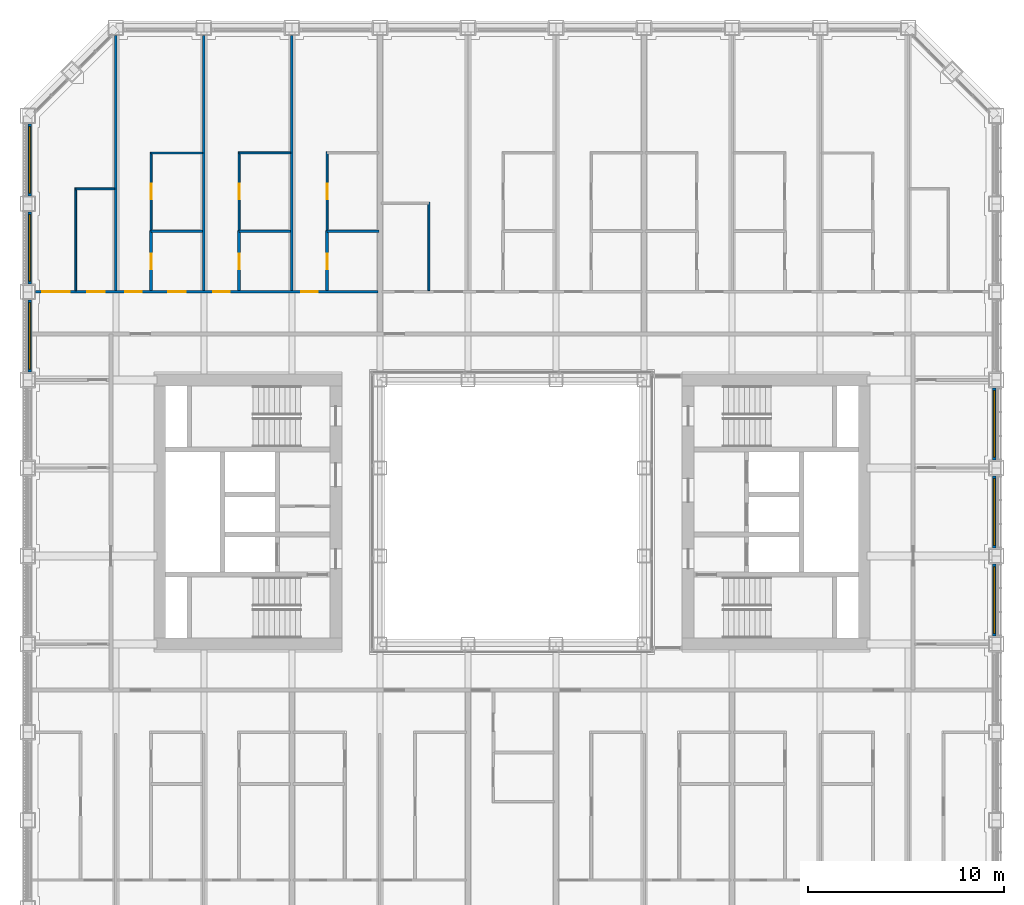
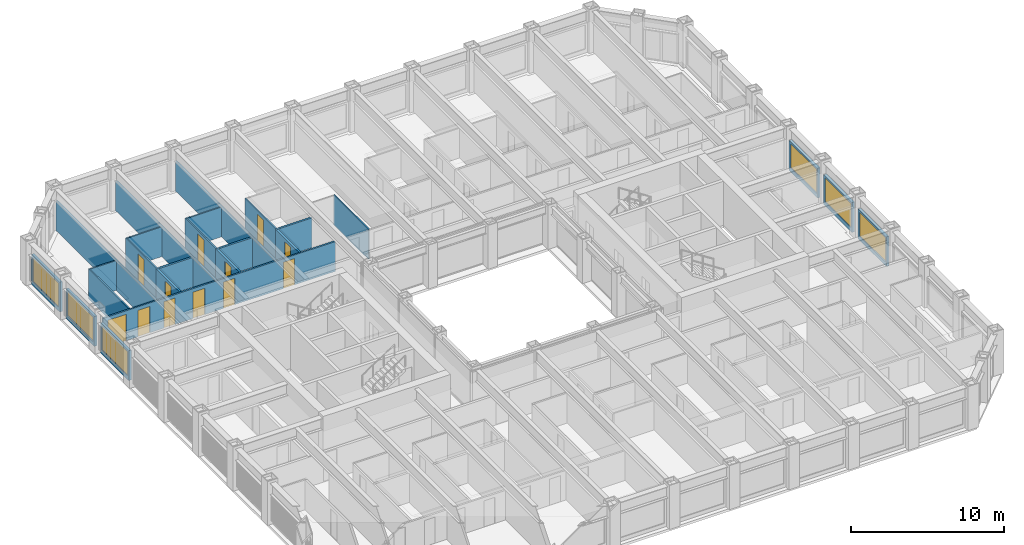
# One storey, part 13 of 21: 24 walls, 12 doors, 6 windows, 18 openings.
"""IFC4 building model written with IfcOpenShell, lengths in metres."""

from ifc_helpers import new_model, si_unit, direction, frame, frame_2d, origin, place, context, subcontext, project, spatial, rectangle, extrude, material, layer, layer_set, type_object, element, fill, save


model = new_model("IFC4")

# Units and contexts
model_context = context("Model", 3, precision=1e-05, world=origin(), true_north=direction((0.0, 1.0)))
body_context = subcontext(model_context, "Body", "Model", "MODEL_VIEW")
ifc_project = project(units=[si_unit("LENGTHUNIT", "METRE"), si_unit("AREAUNIT", "SQUARE_METRE"), si_unit("VOLUMEUNIT", "CUBIC_METRE"), si_unit("PLANEANGLEUNIT", "RADIAN"), si_unit("MASSUNIT", "GRAM", prefix="KILO")], contexts=[model_context])

# Site, building, storey
site_placement = place(None, origin())
site = spatial("IfcSite", under=ifc_project, at=site_placement, CompositionType="ELEMENT")
building_placement = place(site_placement, origin())
building = spatial("IfcBuilding", under=site, at=building_placement, Name="Msasa Ring Tower", CompositionType="ELEMENT")
storey_placement = place(building_placement, frame((0.0, 0.0, 75.5)))
storey = spatial("IfcBuildingStorey", under=building, at=storey_placement, Name="L19", CompositionType="ELEMENT", Elevation=75.5)

# Wall, opening, window
ifc_material_1 = material(Name="Terracotta rainscreen on blockwork", Category="masonry")
ifc_layer_1 = layer(ifc_material_1, 0.199951171875)
ifc_layer_set_1 = layer_set([ifc_layer_1], Name="FW1 TERRACOTTA-LINED INFILL BAY WALL 200")
wall_type_1 = type_object("IfcWallType", Name="FW1 TERRACOTTA-LINED INFILL BAY WALL 200", PredefinedType="SOLIDWALL", material=ifc_layer_set_1)
wall_1_placement = place(storey_placement, frame((24.64990234375, -6.344970703125, 0.0), z_axis=(0.0, 0.0, 1.0), x_axis=(0.0, 1.0, 0.0)))
wall_1 = element("IfcWall", 1, at=wall_1_placement, inside=storey, type_object=wall_type_1, Name="Infill bay wall E L19 14", PredefinedType="SOLIDWALL", context=body_context, shape_type="SweptSolid", body=[
    extrude(rectangle(XDim=3.68994140625, YDim=0.199951171875, at=frame_2d((1.844970703125, 0.0))), origin(), (0.0, 0.0, 1.0), 2.37890625),
])
opening_1_placement = place(wall_1_placement, frame((0.14501953125, 0.0, 0.300048828125)))
opening_1 = element("IfcOpeningElement", 2, at=opening_1_placement, cuts=wall_1, Name="Opening WN1", PredefinedType="OPENING", context=body_context, shape_type="SweptSolid", body=[
    extrude(rectangle(XDim=3.39990234375, YDim=1.928955078125, at=frame_2d((1.699951171875, 0.96435546875))), frame((0.0, 0.10986328125, 0.0), z_axis=(0.0, -1.0, 0.0), x_axis=(1.0, 0.0, 0.0)), (0.0, 0.0, 1.0), 0.219970703125),
])
ifc_material_2 = material(Name="Aluminium frame with clear glass", Category="aluminium")
window_type = type_object("IfcWindowType", Name="WN1 RESIDENCE WINDOW 3400x1929", PartitioningType="SINGLE_PANEL", PredefinedType="WINDOW", material=ifc_material_2)
window_1_placement = place(opening_1_placement, origin())
window_1 = element("IfcWindow", 3, at=window_1_placement, inside=storey, type_object=window_type, Name="Window E L19 14", OverallHeight=1.928955078125, OverallWidth=3.39990234375, PartitioningType="SINGLE_PANEL", PredefinedType="WINDOW", context=body_context, shape_type="SweptSolid", body=[
    extrude(rectangle(XDim=3.39990234375, YDim=1.928955078125, at=frame_2d((1.699951171875, 0.96435546875))), frame((0.0, 0.030029296875, 0.0), z_axis=(0.0, -1.0, 0.0), x_axis=(1.0, 0.0, 0.0)), (0.0, 0.0, 1.0), 0.06005859375),
])
fill(opening_1, window_1)

wall_2_placement = place(storey_placement, frame((24.64990234375, -1.844970703125, 0.0), z_axis=(0.0, 0.0, 1.0), x_axis=(0.0, 1.0, 0.0)))
wall_2 = element("IfcWall", 4, at=wall_2_placement, inside=storey, type_object=wall_type_1, Name="Infill bay wall E L19 15", PredefinedType="SOLIDWALL", context=body_context, shape_type="SweptSolid", body=[
    extrude(rectangle(XDim=3.68994140625, YDim=0.199951171875, at=frame_2d((1.844970703125, 0.0))), origin(), (0.0, 0.0, 1.0), 2.37890625),
])
opening_2_placement = place(wall_2_placement, frame((0.14501953125, 0.0, 0.300048828125)))
opening_2 = element("IfcOpeningElement", 5, at=opening_2_placement, cuts=wall_2, Name="Opening WN1", PredefinedType="OPENING", context=body_context, shape_type="SweptSolid", body=[
    extrude(rectangle(XDim=3.39990234375, YDim=1.928955078125, at=frame_2d((1.699951171875, 0.96435546875))), frame((0.0, 0.10986328125, 0.0), z_axis=(0.0, -1.0, 0.0), x_axis=(1.0, 0.0, 0.0)), (0.0, 0.0, 1.0), 0.219970703125),
])
window_2_placement = place(opening_2_placement, origin())
window_2 = element("IfcWindow", 6, at=window_2_placement, inside=storey, type_object=window_type, Name="Window E L19 15", OverallHeight=1.928955078125, OverallWidth=3.39990234375, PartitioningType="SINGLE_PANEL", PredefinedType="WINDOW", context=body_context, shape_type="SweptSolid", body=[
    extrude(rectangle(XDim=3.39990234375, YDim=1.928955078125, at=frame_2d((1.699951171875, 0.96435546875))), frame((0.0, 0.030029296875, 0.0), z_axis=(0.0, -1.0, 0.0), x_axis=(1.0, 0.0, 0.0)), (0.0, 0.0, 1.0), 0.06005859375),
])
fill(opening_2, window_2)

wall_3_placement = place(storey_placement, frame((24.64990234375, 2.655029296875, 0.0), z_axis=(0.0, 0.0, 1.0), x_axis=(0.0, 1.0, 0.0)))
wall_3 = element("IfcWall", 7, at=wall_3_placement, inside=storey, type_object=wall_type_1, Name="Infill bay wall E L19 16", PredefinedType="SOLIDWALL", context=body_context, shape_type="SweptSolid", body=[
    extrude(rectangle(XDim=3.68994140625, YDim=0.199951171875, at=frame_2d((1.844970703125, 0.0))), origin(), (0.0, 0.0, 1.0), 2.37890625),
])
opening_3_placement = place(wall_3_placement, frame((0.14501953125, 0.0, 0.300048828125)))
opening_3 = element("IfcOpeningElement", 8, at=opening_3_placement, cuts=wall_3, Name="Opening WN1", PredefinedType="OPENING", context=body_context, shape_type="SweptSolid", body=[
    extrude(rectangle(XDim=3.39990234375, YDim=1.928955078125, at=frame_2d((1.699951171875, 0.96435546875))), frame((0.0, 0.10986328125, 0.0), z_axis=(0.0, -1.0, 0.0), x_axis=(1.0, 0.0, 0.0)), (0.0, 0.0, 1.0), 0.219970703125),
])
window_3_placement = place(opening_3_placement, origin())
window_3 = element("IfcWindow", 9, at=window_3_placement, inside=storey, type_object=window_type, Name="Window E L19 16", OverallHeight=1.928955078125, OverallWidth=3.39990234375, PartitioningType="SINGLE_PANEL", PredefinedType="WINDOW", context=body_context, shape_type="SweptSolid", body=[
    extrude(rectangle(XDim=3.39990234375, YDim=1.928955078125, at=frame_2d((1.699951171875, 0.96435546875))), frame((0.0, 0.030029296875, 0.0), z_axis=(0.0, -1.0, 0.0), x_axis=(1.0, 0.0, 0.0)), (0.0, 0.0, 1.0), 0.06005859375),
])
fill(opening_3, window_3)

wall_4_placement = place(storey_placement, frame((-24.64990234375, 7.155029296875, 0.0), z_axis=(0.0, 0.0, 1.0), x_axis=(0.0, 1.0, 0.0)))
wall_4 = element("IfcWall", 10, at=wall_4_placement, inside=storey, type_object=wall_type_1, Name="Infill bay wall W L19 39", PredefinedType="SOLIDWALL", context=body_context, shape_type="SweptSolid", body=[
    extrude(rectangle(XDim=3.68994140625, YDim=0.199951171875, at=frame_2d((1.844970703125, 0.0))), origin(), (0.0, 0.0, 1.0), 2.37890625),
])
opening_4_placement = place(wall_4_placement, frame((0.14501953125, 0.0, 0.300048828125)))
opening_4 = element("IfcOpeningElement", 11, at=opening_4_placement, cuts=wall_4, Name="Opening WN1", PredefinedType="OPENING", context=body_context, shape_type="SweptSolid", body=[
    extrude(rectangle(XDim=3.39990234375, YDim=1.928955078125, at=frame_2d((1.699951171875, 0.96435546875))), frame((0.0, 0.10986328125, 0.0), z_axis=(0.0, -1.0, 0.0), x_axis=(1.0, 0.0, 0.0)), (0.0, 0.0, 1.0), 0.219970703125),
])
window_4_placement = place(opening_4_placement, origin())
window_4 = element("IfcWindow", 12, at=window_4_placement, inside=storey, type_object=window_type, Name="Window W L19 39", OverallHeight=1.928955078125, OverallWidth=3.39990234375, PartitioningType="SINGLE_PANEL", PredefinedType="WINDOW", context=body_context, shape_type="SweptSolid", body=[
    extrude(rectangle(XDim=3.39990234375, YDim=1.928955078125, at=frame_2d((1.699951171875, 0.96435546875))), frame((0.0, 0.030029296875, 0.0), z_axis=(0.0, -1.0, 0.0), x_axis=(1.0, 0.0, 0.0)), (0.0, 0.0, 1.0), 0.06005859375),
])
fill(opening_4, window_4)

wall_5_placement = place(storey_placement, frame((-24.64990234375, 11.655029296875, 0.0), z_axis=(0.0, 0.0, 1.0), x_axis=(0.0, 1.0, 0.0)))
wall_5 = element("IfcWall", 13, at=wall_5_placement, inside=storey, type_object=wall_type_1, Name="Infill bay wall W L19 40", PredefinedType="SOLIDWALL", context=body_context, shape_type="SweptSolid", body=[
    extrude(rectangle(XDim=3.68994140625, YDim=0.199951171875, at=frame_2d((1.844970703125, 0.0))), origin(), (0.0, 0.0, 1.0), 2.37890625),
])
opening_5_placement = place(wall_5_placement, frame((0.14501953125, 0.0, 0.300048828125)))
opening_5 = element("IfcOpeningElement", 14, at=opening_5_placement, cuts=wall_5, Name="Opening WN1", PredefinedType="OPENING", context=body_context, shape_type="SweptSolid", body=[
    extrude(rectangle(XDim=3.39990234375, YDim=1.928955078125, at=frame_2d((1.699951171875, 0.96435546875))), frame((0.0, 0.10986328125, 0.0), z_axis=(0.0, -1.0, 0.0), x_axis=(1.0, 0.0, 0.0)), (0.0, 0.0, 1.0), 0.219970703125),
])
window_5_placement = place(opening_5_placement, origin())
window_5 = element("IfcWindow", 15, at=window_5_placement, inside=storey, type_object=window_type, Name="Window W L19 40", OverallHeight=1.928955078125, OverallWidth=3.39990234375, PartitioningType="SINGLE_PANEL", PredefinedType="WINDOW", context=body_context, shape_type="SweptSolid", body=[
    extrude(rectangle(XDim=3.39990234375, YDim=1.928955078125, at=frame_2d((1.699951171875, 0.96435546875))), frame((0.0, 0.030029296875, 0.0), z_axis=(0.0, -1.0, 0.0), x_axis=(1.0, 0.0, 0.0)), (0.0, 0.0, 1.0), 0.06005859375),
])
fill(opening_5, window_5)

wall_6_placement = place(storey_placement, frame((-24.64990234375, 16.155029296875, 0.0), z_axis=(0.0, 0.0, 1.0), x_axis=(0.0, 1.0, 0.0)))
wall_6 = element("IfcWall", 16, at=wall_6_placement, inside=storey, type_object=wall_type_1, Name="Infill bay wall W L19 41", PredefinedType="SOLIDWALL", context=body_context, shape_type="SweptSolid", body=[
    extrude(rectangle(XDim=3.68994140625, YDim=0.199951171875, at=frame_2d((1.844970703125, 0.0))), origin(), (0.0, 0.0, 1.0), 2.37890625),
])
opening_6_placement = place(wall_6_placement, frame((0.14501953125, 0.0, 0.300048828125)))
opening_6 = element("IfcOpeningElement", 17, at=opening_6_placement, cuts=wall_6, Name="Opening WN1", PredefinedType="OPENING", context=body_context, shape_type="SweptSolid", body=[
    extrude(rectangle(XDim=3.39990234375, YDim=1.928955078125, at=frame_2d((1.699951171875, 0.96435546875))), frame((0.0, 0.10986328125, 0.0), z_axis=(0.0, -1.0, 0.0), x_axis=(1.0, 0.0, 0.0)), (0.0, 0.0, 1.0), 0.219970703125),
])
window_6_placement = place(opening_6_placement, origin())
window_6 = element("IfcWindow", 18, at=window_6_placement, inside=storey, type_object=window_type, Name="Window W L19 41", OverallHeight=1.928955078125, OverallWidth=3.39990234375, PartitioningType="SINGLE_PANEL", PredefinedType="WINDOW", context=body_context, shape_type="SweptSolid", body=[
    extrude(rectangle(XDim=3.39990234375, YDim=1.928955078125, at=frame_2d((1.699951171875, 0.96435546875))), frame((0.0, 0.030029296875, 0.0), z_axis=(0.0, -1.0, 0.0), x_axis=(1.0, 0.0, 0.0)), (0.0, 0.0, 1.0), 0.06005859375),
])
fill(opening_6, window_6)

# Walls
ifc_material_3 = material(Name="Gypsum board on steel studs", Category="steel")
ifc_layer_2 = layer(ifc_material_3, 0.10009765625)
ifc_layer_set_2 = layer_set([ifc_layer_2], Name="PT2 STUD PARTITION 100")
wall_type_2 = type_object("IfcWallType", Name="PT2 STUD PARTITION 100", PredefinedType="PARTITIONING", material=ifc_layer_set_2)
wall_7_placement = place(storey_placement, frame((-22.300048828125, 11.3125, 0.0), z_axis=(0.0, 0.0, 1.0), x_axis=(0.0, 1.0, 0.0)))
element("IfcWall", 19, at=wall_7_placement, inside=storey, type_object=wall_type_2, Name="Partition L19-UN00KX", PredefinedType="PARTITIONING", context=body_context, shape_type="SweptSolid", body=[
    extrude(rectangle(XDim=5.25, YDim=0.10009765625, at=frame_2d((2.625, 0.0))), origin(), (0.0, 0.0, 1.0), 2.373291015625),
])
wall_8_placement = place(storey_placement, frame((-22.300048828125, 16.512451171875, 0.0), z_axis=(0.0, 0.0, 1.0), x_axis=(1.0, 0.0, 0.0)))
element("IfcWall", 20, at=wall_8_placement, inside=storey, type_object=wall_type_2, Name="Partition L19-UN00KY", PredefinedType="PARTITIONING", context=body_context, shape_type="SweptSolid", body=[
    extrude(rectangle(XDim=1.987548828125, YDim=0.10009765625, at=frame_2d((0.99365234375, 0.0))), origin(), (0.0, 0.0, 1.0), 2.373291015625),
])

# Wall, opening, door
wall_9_placement = place(storey_placement, frame((-18.449951171875, 14.39990234375, 0.0), z_axis=(0.0, 0.0, 1.0), x_axis=(0.0, 1.0, 0.0)))
wall_9 = element("IfcWall", 21, at=wall_9_placement, inside=storey, type_object=wall_type_2, Name="Partition L19-UN00WX1", PredefinedType="PARTITIONING", context=body_context, shape_type="SweptSolid", body=[
    extrude(rectangle(XDim=4.00048828125, YDim=0.10009765625, at=frame_2d((2.000244140625, 0.0))), origin(), (0.0, 0.0, 1.0), 2.373291015625),
])
opening_7_placement = place(wall_9_placement, frame((1.5751953125, 0.0, 0.0)))
opening_7 = element("IfcOpeningElement", 22, at=opening_7_placement, cuts=wall_9, Name="Opening RE-001", PredefinedType="OPENING", context=body_context, shape_type="SweptSolid", body=[
    extrude(rectangle(XDim=0.800048828125, YDim=2.10009765625, at=frame_2d((0.39990234375, 1.050048828125))), frame((0.0, 0.06005859375, 0.0), z_axis=(0.0, -1.0, 0.0), x_axis=(1.0, 0.0, 0.0)), (0.0, 0.0, 1.0), 0.1201171875),
])
ifc_material_4 = material(Name="Timber door leaf in a steel frame", Category="steel")
door_type_1 = type_object("IfcDoorType", Name="D60 DRESSING ROOM DOOR 800x2100", OperationType="SINGLE_SWING_LEFT", PredefinedType="DOOR", material=ifc_material_4)
door_1_placement = place(opening_7_placement, origin())
door_1 = element("IfcDoor", 23, at=door_1_placement, inside=storey, type_object=door_type_1, Name="Door L19-UN00W1", OperationType="SINGLE_SWING_LEFT", OverallHeight=2.10009765625, OverallWidth=0.800048828125, PredefinedType="DOOR", context=body_context, shape_type="SweptSolid", body=[
    extrude(rectangle(XDim=0.800048828125, YDim=2.10009765625, at=frame_2d((0.39990234375, 1.050048828125))), frame((0.0, 0.02490234375, 0.0), z_axis=(0.0, -1.0, 0.0), x_axis=(1.0, 0.0, 0.0)), (0.0, 0.0, 1.0), 0.050048828125),
])
fill(opening_7, door_1)

# Wall
wall_10_placement = place(storey_placement, frame((-18.449951171875, 18.350341796875, 0.0), z_axis=(0.0, 0.0, 1.0), x_axis=(1.0, 0.0, 0.0)))
element("IfcWall", 24, at=wall_10_placement, inside=storey, type_object=wall_type_2, Name="Partition L19-UN00WY1", PredefinedType="PARTITIONING", context=body_context, shape_type="SweptSolid", body=[
    extrude(rectangle(XDim=2.639892578125, YDim=0.10009765625, at=frame_2d((1.31982421875, 0.0))), origin(), (0.0, 0.0, 1.0), 2.373291015625),
])

# Wall, opening, door
wall_11_placement = place(storey_placement, frame((-13.949951171875, 14.39990234375, 0.0), z_axis=(0.0, 0.0, 1.0), x_axis=(0.0, 1.0, 0.0)))
wall_11 = element("IfcWall", 25, at=wall_11_placement, inside=storey, type_object=wall_type_2, Name="Partition L19-UN00WX2", PredefinedType="PARTITIONING", context=body_context, shape_type="SweptSolid", body=[
    extrude(rectangle(XDim=4.003173828125, YDim=0.10009765625, at=frame_2d((2.00146484375, 0.0))), origin(), (0.0, 0.0, 1.0), 2.373291015625),
])
opening_8_placement = place(wall_11_placement, frame((1.576416015625, 0.0, 0.0)))
opening_8 = element("IfcOpeningElement", 26, at=opening_8_placement, cuts=wall_11, Name="Opening RE-002", PredefinedType="OPENING", context=body_context, shape_type="SweptSolid", body=[
    extrude(rectangle(XDim=0.800048828125, YDim=2.10009765625, at=frame_2d((0.39990234375, 1.050048828125))), frame((0.0, 0.06005859375, 0.0), z_axis=(0.0, -1.0, 0.0), x_axis=(1.0, 0.0, 0.0)), (0.0, 0.0, 1.0), 0.1201171875),
])
door_2_placement = place(opening_8_placement, origin())
door_2 = element("IfcDoor", 27, at=door_2_placement, inside=storey, type_object=door_type_1, Name="Door L19-UN00W2", OperationType="SINGLE_SWING_LEFT", OverallHeight=2.10009765625, OverallWidth=0.800048828125, PredefinedType="DOOR", context=body_context, shape_type="SweptSolid", body=[
    extrude(rectangle(XDim=0.800048828125, YDim=2.10009765625, at=frame_2d((0.39990234375, 1.050048828125))), frame((0.0, 0.02490234375, 0.0), z_axis=(0.0, -1.0, 0.0), x_axis=(1.0, 0.0, 0.0)), (0.0, 0.0, 1.0), 0.050048828125),
])
fill(opening_8, door_2)

# Wall
wall_12_placement = place(storey_placement, frame((-13.949951171875, 18.35302734375, 0.0), z_axis=(0.0, 0.0, 1.0), x_axis=(1.0, 0.0, 0.0)))
element("IfcWall", 28, at=wall_12_placement, inside=storey, type_object=wall_type_2, Name="Partition L19-UN00WY2", PredefinedType="PARTITIONING", context=body_context, shape_type="SweptSolid", body=[
    extrude(rectangle(XDim=2.639892578125, YDim=0.10009765625, at=frame_2d((1.31982421875, 0.0))), origin(), (0.0, 0.0, 1.0), 2.373291015625),
])

# Wall, opening, door
wall_13_placement = place(storey_placement, frame((-9.449951171875, 14.39990234375, 0.0), z_axis=(0.0, 0.0, 1.0), x_axis=(0.0, 1.0, 0.0)))
wall_13 = element("IfcWall", 29, at=wall_13_placement, inside=storey, type_object=wall_type_2, Name="Partition L19-UN00WX3", PredefinedType="PARTITIONING", context=body_context, shape_type="SweptSolid", body=[
    extrude(rectangle(XDim=4.003173828125, YDim=0.10009765625, at=frame_2d((2.00146484375, 0.0))), origin(), (0.0, 0.0, 1.0), 2.373291015625),
])
opening_9_placement = place(wall_13_placement, frame((1.576416015625, 0.0, 0.0)))
opening_9 = element("IfcOpeningElement", 30, at=opening_9_placement, cuts=wall_13, Name="Opening RE-003", PredefinedType="OPENING", context=body_context, shape_type="SweptSolid", body=[
    extrude(rectangle(XDim=0.800048828125, YDim=2.10009765625, at=frame_2d((0.39990234375, 1.050048828125))), frame((0.0, 0.06005859375, 0.0), z_axis=(0.0, -1.0, 0.0), x_axis=(1.0, 0.0, 0.0)), (0.0, 0.0, 1.0), 0.1201171875),
])
door_3_placement = place(opening_9_placement, origin())
door_3 = element("IfcDoor", 31, at=door_3_placement, inside=storey, type_object=door_type_1, Name="Door L19-UN00W3", OperationType="SINGLE_SWING_LEFT", OverallHeight=2.10009765625, OverallWidth=0.800048828125, PredefinedType="DOOR", context=body_context, shape_type="SweptSolid", body=[
    extrude(rectangle(XDim=0.800048828125, YDim=2.10009765625, at=frame_2d((0.39990234375, 1.050048828125))), frame((0.0, 0.02490234375, 0.0), z_axis=(0.0, -1.0, 0.0), x_axis=(1.0, 0.0, 0.0)), (0.0, 0.0, 1.0), 0.050048828125),
])
fill(opening_9, door_3)

# Wall
wall_14_placement = place(storey_placement, frame((-4.25, 11.3125, 0.0), z_axis=(0.0, 0.0, 1.0), x_axis=(0.0, 1.0, 0.0)))
element("IfcWall", 32, at=wall_14_placement, inside=storey, type_object=wall_type_2, Name="Partition L19-UN01KX", PredefinedType="PARTITIONING", context=body_context, shape_type="SweptSolid", body=[
    extrude(rectangle(XDim=4.530029296875, YDim=0.10009765625, at=frame_2d((2.26513671875, 0.0))), origin(), (0.0, 0.0, 1.0), 2.373291015625),
])

# Wall, opening, door
ifc_material_5 = material(Name="Moisture-resistant board on steel studs with a concealed cistern and pipe void, tiled", Category="steel")
ifc_layer_3 = layer(ifc_material_5, 0.14990234375)
ifc_layer_set_3 = layer_set([ifc_layer_3], Name="PT4 BATHROOM WET WALL 150")
wall_type_3 = type_object("IfcWallType", Name="PT4 BATHROOM WET WALL 150", PredefinedType="PARTITIONING", material=ifc_layer_set_3)
wall_15_placement = place(storey_placement, frame((-18.449951171875, 11.3125, 0.0), z_axis=(0.0, 0.0, 1.0), x_axis=(0.0, 1.0, 0.0)))
wall_15 = element("IfcWall", 33, at=wall_15_placement, inside=storey, type_object=wall_type_3, Name="Partition L19-UN00BX1", PredefinedType="PARTITIONING", context=body_context, shape_type="SweptSolid", body=[
    extrude(rectangle(XDim=3.08740234375, YDim=0.14990234375, at=frame_2d((1.543701171875, 0.0))), origin(), (0.0, 0.0, 1.0), 2.373291015625),
])
opening_10_placement = place(wall_15_placement, frame((1.08740234375, 0.0, 0.0)))
opening_10 = element("IfcOpeningElement", 34, at=opening_10_placement, cuts=wall_15, Name="Opening RE-009", PredefinedType="OPENING", context=body_context, shape_type="SweptSolid", body=[
    extrude(rectangle(XDim=0.800048828125, YDim=2.10009765625, at=frame_2d((0.39990234375, 1.050048828125))), frame((0.0, 0.0849609375, 0.0), z_axis=(0.0, -1.0, 0.0), x_axis=(1.0, 0.0, 0.0)), (0.0, 0.0, 1.0), 0.169921875),
])
ifc_material_6 = material(Name="Timber door leaf in a steel frame", Category="steel")
door_type_2 = type_object("IfcDoorType", Name="D21 POCKET SLIDING BATHROOM DOOR 800x2100", OperationType="SINGLE_SWING_LEFT", PredefinedType="DOOR", material=ifc_material_6)
door_4_placement = place(opening_10_placement, origin())
door_4 = element("IfcDoor", 35, at=door_4_placement, inside=storey, type_object=door_type_2, Name="Door L19-UN00B1", OperationType="SINGLE_SWING_LEFT", OverallHeight=2.10009765625, OverallWidth=0.800048828125, PredefinedType="DOOR", context=body_context, shape_type="SweptSolid", body=[
    extrude(rectangle(XDim=0.800048828125, YDim=2.10009765625, at=frame_2d((0.39990234375, 1.050048828125))), frame((0.0, 0.02490234375, 0.0), z_axis=(0.0, -1.0, 0.0), x_axis=(1.0, 0.0, 0.0)), (0.0, 0.0, 1.0), 0.050048828125),
])
fill(opening_10, door_4)

# Wall
wall_16_placement = place(storey_placement, frame((-18.449951171875, 14.35009765625, 0.0), z_axis=(0.0, 0.0, 1.0), x_axis=(1.0, 0.0, 0.0)))
element("IfcWall", 36, at=wall_16_placement, inside=storey, type_object=wall_type_3, Name="Partition L19-UN00BY1", PredefinedType="PARTITIONING", context=body_context, shape_type="SweptSolid", body=[
    extrude(rectangle(XDim=2.639892578125, YDim=0.14990234375, at=frame_2d((1.31982421875, 0.0))), origin(), (0.0, 0.0, 1.0), 2.373291015625),
])

# Wall, opening, door
wall_17_placement = place(storey_placement, frame((-13.949951171875, 11.3125, 0.0), z_axis=(0.0, 0.0, 1.0), x_axis=(0.0, 1.0, 0.0)))
wall_17 = element("IfcWall", 37, at=wall_17_placement, inside=storey, type_object=wall_type_3, Name="Partition L19-UN00BX2", PredefinedType="PARTITIONING", context=body_context, shape_type="SweptSolid", body=[
    extrude(rectangle(XDim=3.08740234375, YDim=0.14990234375, at=frame_2d((1.543701171875, 0.0))), origin(), (0.0, 0.0, 1.0), 2.373291015625),
])
opening_11_placement = place(wall_17_placement, frame((1.08740234375, 0.0, 0.0)))
opening_11 = element("IfcOpeningElement", 38, at=opening_11_placement, cuts=wall_17, Name="Opening RE-010", PredefinedType="OPENING", context=body_context, shape_type="SweptSolid", body=[
    extrude(rectangle(XDim=0.800048828125, YDim=2.10009765625, at=frame_2d((0.39990234375, 1.050048828125))), frame((0.0, 0.0849609375, 0.0), z_axis=(0.0, -1.0, 0.0), x_axis=(1.0, 0.0, 0.0)), (0.0, 0.0, 1.0), 0.169921875),
])
door_5_placement = place(opening_11_placement, origin())
door_5 = element("IfcDoor", 39, at=door_5_placement, inside=storey, type_object=door_type_2, Name="Door L19-UN00B2", OperationType="SINGLE_SWING_LEFT", OverallHeight=2.10009765625, OverallWidth=0.800048828125, PredefinedType="DOOR", context=body_context, shape_type="SweptSolid", body=[
    extrude(rectangle(XDim=0.800048828125, YDim=2.10009765625, at=frame_2d((0.39990234375, 1.050048828125))), frame((0.0, 0.02490234375, 0.0), z_axis=(0.0, -1.0, 0.0), x_axis=(1.0, 0.0, 0.0)), (0.0, 0.0, 1.0), 0.050048828125),
])
fill(opening_11, door_5)

# Wall
wall_18_placement = place(storey_placement, frame((-13.949951171875, 14.35009765625, 0.0), z_axis=(0.0, 0.0, 1.0), x_axis=(1.0, 0.0, 0.0)))
element("IfcWall", 40, at=wall_18_placement, inside=storey, type_object=wall_type_3, Name="Partition L19-UN00BY2", PredefinedType="PARTITIONING", context=body_context, shape_type="SweptSolid", body=[
    extrude(rectangle(XDim=2.639892578125, YDim=0.14990234375, at=frame_2d((1.31982421875, 0.0))), origin(), (0.0, 0.0, 1.0), 2.373291015625),
])

# Wall, opening, door
wall_19_placement = place(storey_placement, frame((-9.449951171875, 11.3125, 0.0), z_axis=(0.0, 0.0, 1.0), x_axis=(0.0, 1.0, 0.0)))
wall_19 = element("IfcWall", 41, at=wall_19_placement, inside=storey, type_object=wall_type_3, Name="Partition L19-UN00BX3", PredefinedType="PARTITIONING", context=body_context, shape_type="SweptSolid", body=[
    extrude(rectangle(XDim=3.08740234375, YDim=0.14990234375, at=frame_2d((1.543701171875, 0.0))), origin(), (0.0, 0.0, 1.0), 2.373291015625),
])
opening_12_placement = place(wall_19_placement, frame((1.08740234375, 0.0, 0.0)))
opening_12 = element("IfcOpeningElement", 42, at=opening_12_placement, cuts=wall_19, Name="Opening RE-011", PredefinedType="OPENING", context=body_context, shape_type="SweptSolid", body=[
    extrude(rectangle(XDim=0.800048828125, YDim=2.10009765625, at=frame_2d((0.39990234375, 1.050048828125))), frame((0.0, 0.0849609375, 0.0), z_axis=(0.0, -1.0, 0.0), x_axis=(1.0, 0.0, 0.0)), (0.0, 0.0, 1.0), 0.169921875),
])
door_6_placement = place(opening_12_placement, origin())
door_6 = element("IfcDoor", 43, at=door_6_placement, inside=storey, type_object=door_type_2, Name="Door L19-UN00B3", OperationType="SINGLE_SWING_LEFT", OverallHeight=2.10009765625, OverallWidth=0.800048828125, PredefinedType="DOOR", context=body_context, shape_type="SweptSolid", body=[
    extrude(rectangle(XDim=0.800048828125, YDim=2.10009765625, at=frame_2d((0.39990234375, 1.050048828125))), frame((0.0, 0.02490234375, 0.0), z_axis=(0.0, -1.0, 0.0), x_axis=(1.0, 0.0, 0.0)), (0.0, 0.0, 1.0), 0.050048828125),
])
fill(opening_12, door_6)

# Wall
wall_20_placement = place(storey_placement, frame((-9.449951171875, 14.35009765625, 0.0), z_axis=(0.0, 0.0, 1.0), x_axis=(1.0, 0.0, 0.0)))
element("IfcWall", 44, at=wall_20_placement, inside=storey, type_object=wall_type_3, Name="Partition L19-UN00BY3", PredefinedType="PARTITIONING", context=body_context, shape_type="SweptSolid", body=[
    extrude(rectangle(XDim=2.639892578125, YDim=0.14990234375, at=frame_2d((1.31982421875, 0.0))), origin(), (0.0, 0.0, 1.0), 2.373291015625),
])

# Wall, openings, doors
ifc_material_7 = material(Name="Two layers of acoustic board each face on steel studs, mineral wool", Category="steel")
ifc_layer_4 = layer(ifc_material_7, 0.125)
ifc_layer_set_4 = layer_set([ifc_layer_4], Name="PT6 ACOUSTIC DOUBLE-BOARD PARTITION 125")
wall_type_4 = type_object("IfcWallType", Name="PT6 ACOUSTIC DOUBLE-BOARD PARTITION 125", PredefinedType="PARTITIONING", material=ifc_layer_set_4)
wall_21_placement = place(storey_placement, frame((-24.35009765625, 11.25, 0.0), z_axis=(0.0, 0.0, 1.0), x_axis=(1.0, 0.0, 0.0)))
wall_21 = element("IfcWall", 45, at=wall_21_placement, inside=storey, type_object=wall_type_4, Name="Partition L19-UN00HY", PredefinedType="PARTITIONING", context=body_context, shape_type="SweptSolid", body=[
    extrude(rectangle(XDim=17.5, YDim=0.125, at=frame_2d((8.75, 0.0))), origin(), (0.0, 0.0, 1.0), 2.373291015625),
])
opening_13_placement = place(wall_21_placement, frame((2.625, 0.0, 0.0)))
opening_13 = element("IfcOpeningElement", 46, at=opening_13_placement, cuts=wall_21, Name="Opening RE-018", PredefinedType="OPENING", context=body_context, shape_type="SweptSolid", body=[
    extrude(rectangle(XDim=0.89990234375, YDim=2.10009765625, at=frame_2d((0.449951171875, 1.050048828125))), frame((0.0, 0.072509765625, 0.0), z_axis=(0.0, -1.0, 0.0), x_axis=(1.0, 0.0, 0.0)), (0.0, 0.0, 1.0), 0.14501953125),
])
opening_14_placement = place(wall_21_placement, frame((0.35009765625, 0.0, 0.0)))
opening_14 = element("IfcOpeningElement", 47, at=opening_14_placement, cuts=wall_21, Name="Opening RE-017", PredefinedType="OPENING", context=body_context, shape_type="SweptSolid", body=[
    extrude(rectangle(XDim=1.39990234375, YDim=2.10009765625, at=frame_2d((0.699951171875, 1.050048828125))), frame((0.0, 0.072509765625, 0.0), z_axis=(0.0, -1.0, 0.0), x_axis=(1.0, 0.0, 0.0)), (0.0, 0.0, 1.0), 0.14501953125),
])
opening_15_placement = place(wall_21_placement, frame((4.574951171875, 0.0, 0.0)))
opening_15 = element("IfcOpeningElement", 48, at=opening_15_placement, cuts=wall_21, Name="Opening RE-019", PredefinedType="OPENING", context=body_context, shape_type="SweptSolid", body=[
    extrude(rectangle(XDim=0.85009765625, YDim=2.10009765625, at=frame_2d((0.425048828125, 1.050048828125))), frame((0.0, 0.072509765625, 0.0), z_axis=(0.0, -1.0, 0.0), x_axis=(1.0, 0.0, 0.0)), (0.0, 0.0, 1.0), 0.14501953125),
])
opening_16_placement = place(wall_21_placement, frame((6.77001953125, 0.0, 0.0)))
opening_16 = element("IfcOpeningElement", 49, at=opening_16_placement, cuts=wall_21, Name="Opening RE-020", PredefinedType="OPENING", context=body_context, shape_type="SweptSolid", body=[
    extrude(rectangle(XDim=0.89990234375, YDim=2.10009765625, at=frame_2d((0.449951171875, 1.050048828125))), frame((0.0, 0.072509765625, 0.0), z_axis=(0.0, -1.0, 0.0), x_axis=(1.0, 0.0, 0.0)), (0.0, 0.0, 1.0), 0.14501953125),
])
opening_17_placement = place(wall_21_placement, frame((9.074951171875, 0.0, 0.0)))
opening_17 = element("IfcOpeningElement", 50, at=opening_17_placement, cuts=wall_21, Name="Opening RE-021", PredefinedType="OPENING", context=body_context, shape_type="SweptSolid", body=[
    extrude(rectangle(XDim=0.85009765625, YDim=2.10009765625, at=frame_2d((0.425048828125, 1.050048828125))), frame((0.0, 0.072509765625, 0.0), z_axis=(0.0, -1.0, 0.0), x_axis=(1.0, 0.0, 0.0)), (0.0, 0.0, 1.0), 0.14501953125),
])
opening_18_placement = place(wall_21_placement, frame((13.574951171875, 0.0, 0.0)))
opening_18 = element("IfcOpeningElement", 51, at=opening_18_placement, cuts=wall_21, Name="Opening RE-022", PredefinedType="OPENING", context=body_context, shape_type="SweptSolid", body=[
    extrude(rectangle(XDim=0.85009765625, YDim=2.10009765625, at=frame_2d((0.425048828125, 1.050048828125))), frame((0.0, 0.072509765625, 0.0), z_axis=(0.0, -1.0, 0.0), x_axis=(1.0, 0.0, 0.0)), (0.0, 0.0, 1.0), 0.14501953125),
])
ifc_material_8 = material(Name="Timber door leaf in a steel frame", Category="steel")
door_type_3 = type_object("IfcDoorType", Name="D14 BEDROOM DOOR 850x2100", OperationType="SINGLE_SWING_LEFT", PredefinedType="DOOR", material=ifc_material_8)
door_7_placement = place(opening_15_placement, origin())
door_7 = element("IfcDoor", 52, at=door_7_placement, inside=storey, type_object=door_type_3, Name="Door L19-UN00R1", OperationType="SINGLE_SWING_LEFT", OverallHeight=2.10009765625, OverallWidth=0.85009765625, PredefinedType="DOOR", context=body_context, shape_type="SweptSolid", body=[
    extrude(rectangle(XDim=0.85009765625, YDim=2.10009765625, at=frame_2d((0.425048828125, 1.050048828125))), frame((0.0, 0.02490234375, 0.0), z_axis=(0.0, -1.0, 0.0), x_axis=(1.0, 0.0, 0.0)), (0.0, 0.0, 1.0), 0.050048828125),
])
fill(opening_15, door_7)
door_8_placement = place(opening_17_placement, origin())
door_8 = element("IfcDoor", 53, at=door_8_placement, inside=storey, type_object=door_type_3, Name="Door L19-UN00R2", OperationType="SINGLE_SWING_RIGHT", OverallHeight=2.10009765625, OverallWidth=0.85009765625, PredefinedType="DOOR", context=body_context, shape_type="SweptSolid", body=[
    extrude(rectangle(XDim=0.85009765625, YDim=2.10009765625, at=frame_2d((0.425048828125, 1.050048828125))), frame((0.0, 0.02490234375, 0.0), z_axis=(0.0, -1.0, 0.0), x_axis=(1.0, 0.0, 0.0)), (0.0, 0.0, 1.0), 0.050048828125),
])
fill(opening_17, door_8)
door_9_placement = place(opening_18_placement, origin())
door_9 = element("IfcDoor", 54, at=door_9_placement, inside=storey, type_object=door_type_3, Name="Door L19-UN00R3", OperationType="SINGLE_SWING_RIGHT", OverallHeight=2.10009765625, OverallWidth=0.85009765625, PredefinedType="DOOR", context=body_context, shape_type="SweptSolid", body=[
    extrude(rectangle(XDim=0.85009765625, YDim=2.10009765625, at=frame_2d((0.425048828125, 1.050048828125))), frame((0.0, 0.02490234375, 0.0), z_axis=(0.0, -1.0, 0.0), x_axis=(1.0, 0.0, 0.0)), (0.0, 0.0, 1.0), 0.050048828125),
])
fill(opening_18, door_9)
ifc_material_9 = material(Name="Timber door leaf in a steel frame", Category="steel")
door_type_4 = type_object("IfcDoorType", Name="D15 LIVING ROOM PAIR OF GLAZED DOORS 1400x2100", OperationType="SINGLE_SWING_LEFT", PredefinedType="DOOR", material=ifc_material_9)
door_10_placement = place(opening_14_placement, origin())
door_10 = element("IfcDoor", 55, at=door_10_placement, inside=storey, type_object=door_type_4, Name="Door L19-UN00L", OperationType="SINGLE_SWING_LEFT", OverallHeight=2.10009765625, OverallWidth=1.39990234375, PredefinedType="DOOR", context=body_context, shape_type="SweptSolid", body=[
    extrude(rectangle(XDim=1.39990234375, YDim=2.10009765625, at=frame_2d((0.699951171875, 1.050048828125))), frame((0.0, 0.02490234375, 0.0), z_axis=(0.0, -1.0, 0.0), x_axis=(1.0, 0.0, 0.0)), (0.0, 0.0, 1.0), 0.050048828125),
])
fill(opening_14, door_10)
ifc_material_10 = material(Name="Timber door leaf in a steel frame", Category="steel")
door_type_5 = type_object("IfcDoorType", Name="D22 INTERNAL HALL DOOR 900x2100", OperationType="SINGLE_SWING_LEFT", PredefinedType="DOOR", material=ifc_material_10)
door_11_placement = place(opening_13_placement, origin())
door_11 = element("IfcDoor", 56, at=door_11_placement, inside=storey, type_object=door_type_5, Name="Door L19-UN00K", OperationType="SINGLE_SWING_LEFT", OverallHeight=2.10009765625, OverallWidth=0.89990234375, PredefinedType="DOOR", context=body_context, shape_type="SweptSolid", body=[
    extrude(rectangle(XDim=0.89990234375, YDim=2.10009765625, at=frame_2d((0.449951171875, 1.050048828125))), frame((0.0, 0.02490234375, 0.0), z_axis=(0.0, -1.0, 0.0), x_axis=(1.0, 0.0, 0.0)), (0.0, 0.0, 1.0), 0.050048828125),
])
fill(opening_13, door_11)
ifc_material_11 = material(Name="Timber door leaf in a steel frame", Category="steel")
door_type_6 = type_object("IfcDoorType", Name="D3 BATHROOM DOOR 900x2100", OperationType="SINGLE_SWING_LEFT", PredefinedType="DOOR", material=ifc_material_11)
door_12_placement = place(opening_16_placement, origin())
door_12 = element("IfcDoor", 57, at=door_12_placement, inside=storey, type_object=door_type_6, Name="Door L19-UN00BH1", OperationType="SINGLE_SWING_LEFT", OverallHeight=2.10009765625, OverallWidth=0.89990234375, PredefinedType="DOOR", context=body_context, shape_type="SweptSolid", body=[
    extrude(rectangle(XDim=0.89990234375, YDim=2.10009765625, at=frame_2d((0.449951171875, 1.050048828125))), frame((0.0, 0.02490234375, 0.0), z_axis=(0.0, -1.0, 0.0), x_axis=(1.0, 0.0, 0.0)), (0.0, 0.0, 1.0), 0.050048828125),
])
fill(opening_16, door_12)

# Walls
for number, where, z_axis, x_axis, name in (
    (58, (-20.25, 11.3125, 0.0), (0.0, 0.0, 1.0), (0.0, 1.0, 0.0), "Partition L19-UN00P1"),
    (59, (-15.75, 11.3125, 0.0), (0.0, 0.0, 1.0), (0.0, 1.0, 0.0), "Partition L19-UN00P2"),
    (60, (-11.25, 11.3125, 0.0), (0.0, 0.0, 1.0), (0.0, 1.0, 0.0), "Partition L19-UN00P3"),
):
    element("IfcWall", number, at=place(storey_placement, frame(where, z_axis=z_axis, x_axis=x_axis)), inside=storey, type_object=wall_type_4, Name=name, PredefinedType="PARTITIONING", context=body_context, shape_type="SweptSolid", body=[
        extrude(rectangle(XDim=13.03759765625, YDim=0.125, at=frame_2d((6.518798828125, 0.0))), origin(), (0.0, 0.0, 1.0), 2.373291015625),
    ])

save(model, "model.ifc")
